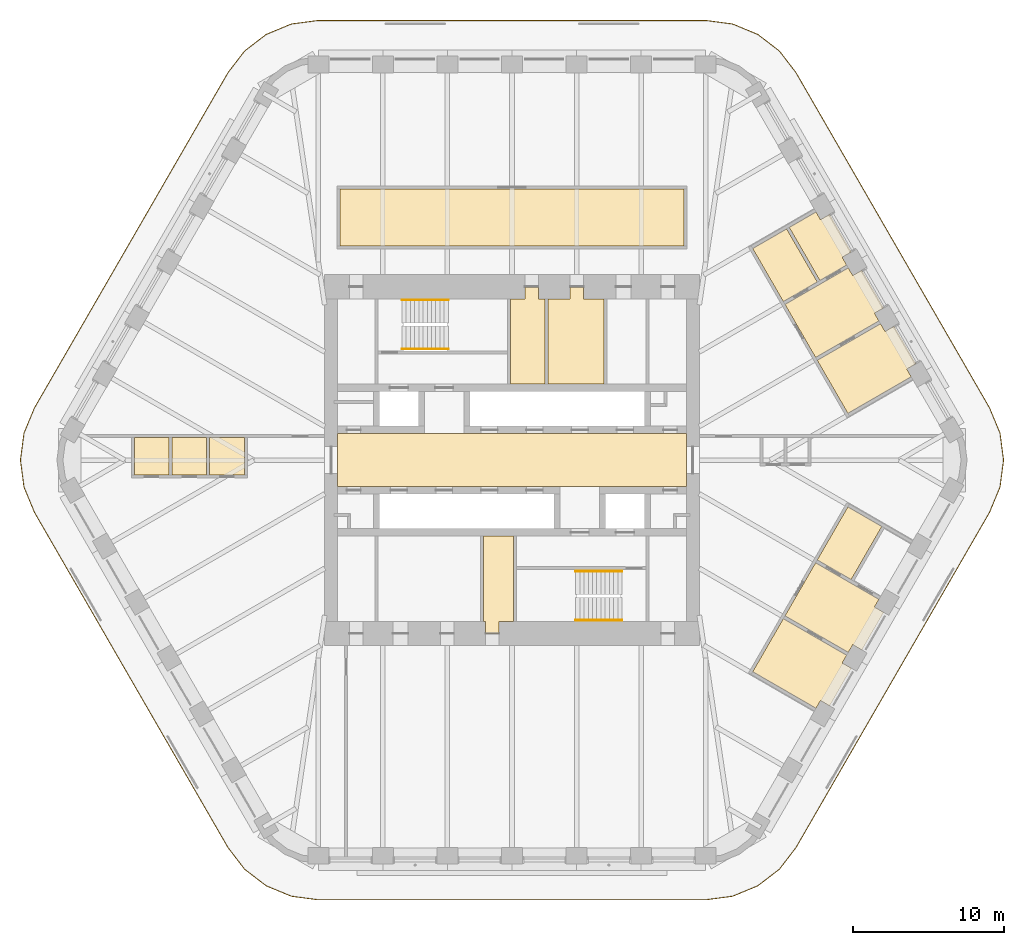
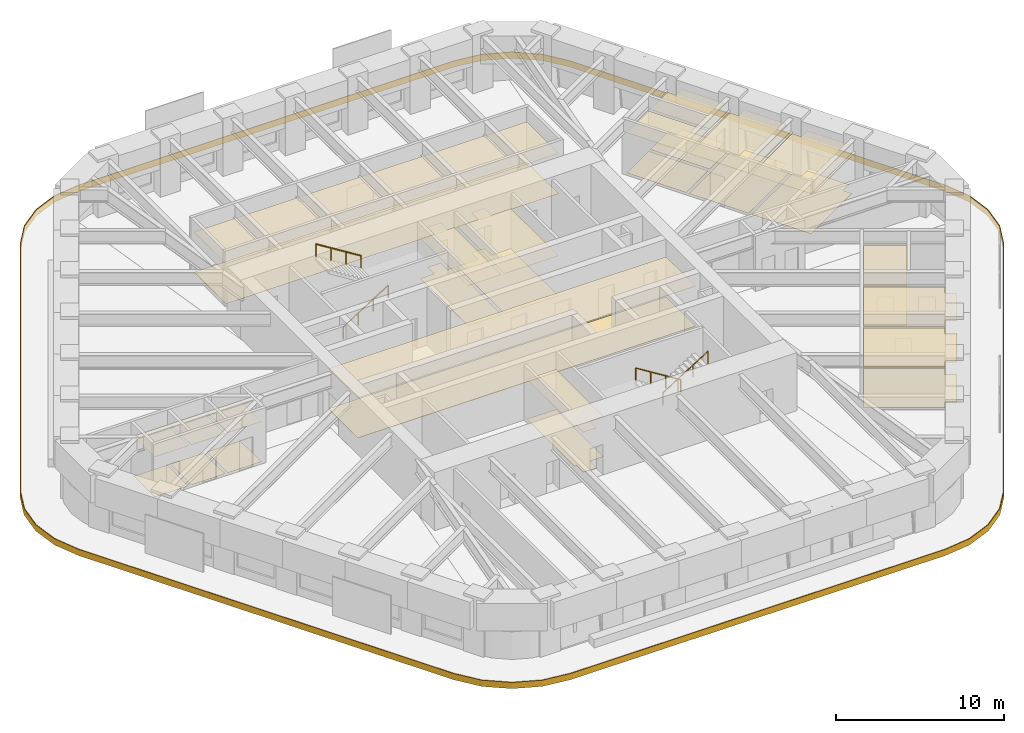
# One storey, part 17 of 18: 11 coverings, 4 railings.
"""IFC4 building model written with IfcOpenShell, lengths in metres."""

from ifc_helpers import new_model, si_unit, direction, frame, origin, origin_2d, place, context, subcontext, project, spatial, polyline, circle, outline, extrude, material, layer, layer_set, type_object, element, save


model = new_model("IFC4")

# Units and contexts
model_context = context("Model", 3, precision=1e-05, world=origin(), true_north=direction((0.0, 1.0)))
body_context = subcontext(model_context, "Body", "Model", "MODEL_VIEW")
ifc_project = project(units=[si_unit("LENGTHUNIT", "METRE"), si_unit("AREAUNIT", "SQUARE_METRE"), si_unit("VOLUMEUNIT", "CUBIC_METRE"), si_unit("PLANEANGLEUNIT", "RADIAN"), si_unit("MASSUNIT", "GRAM", prefix="KILO")], contexts=[model_context])

# Site, building, storey
site_placement = place(None, origin())
site = spatial("IfcSite", under=ifc_project, at=site_placement, CompositionType="ELEMENT")
building_placement = place(site_placement, origin())
building = spatial("IfcBuilding", under=site, at=building_placement, Name="Tarfa Lantern Tower", CompositionType="ELEMENT")
storey_placement = place(building_placement, frame((0.0, 0.0, 324.10009765625)))
storey = spatial("IfcBuildingStorey", under=building, at=storey_placement, Name="L73", CompositionType="ELEMENT", Elevation=324.10009765625)

# Coverings
ifc_material_1 = material(Name="Mineral fibre acoustic tile on suspension grid", Category="finish")
ifc_layer_1 = layer(ifc_material_1, 0.02001953125)
ifc_layer_set_1 = layer_set([ifc_layer_1], Name="CL1 ACOUSTIC TILE CEILING 20")
covering_type_1 = type_object("IfcCoveringType", Name="CL1 ACOUSTIC TILE CEILING 20", PredefinedType="CEILING", material=ifc_layer_set_1)
covering_1_placement = place(storey_placement, frame((0.0, 0.0, 2.89990234375)))
element("IfcCovering", 1, at=covering_1_placement, inside=storey, type_object=covering_type_1, Name="Ceiling L73 CL1", PredefinedType="CEILING", context=body_context, shape_type="SweptSolid", body=[
    extrude(outline(polyline([(18.106689453125, 10.33837890625), (22.306884765625, 12.763427734375), (22.60693359375, 12.243896484375), (23.213134765625, 12.59375), (24.654052734375, 10.097900390625), (24.0478515625, 9.747802734375), (24.347900390625, 9.228271484375), (20.147705078125, 6.80322265625), (18.106689453125, 10.33837890625)])), origin(), (0.0, 0.0, 1.0), 0.02001953125),
    extrude(outline(polyline([(18.390380859375, 15.44677734375), (20.165771484375, 16.4716796875), (20.4658203125, 15.9521484375), (21.072021484375, 16.302001953125), (22.51318359375, 13.80615234375), (21.90673828125, 13.456298828125), (22.206787109375, 12.9365234375), (20.431396484375, 11.91162109375), (18.390380859375, 15.44677734375)])), origin(), (0.0, 0.0, 1.0), 0.02001953125),
    extrude(outline(polyline([(20.147705078125, -6.80322265625), (24.347900390625, -9.228271484375), (24.0478515625, -9.747802734375), (24.654052734375, -10.097900390625), (23.213134765625, -12.59375), (22.60693359375, -12.243896484375), (22.306884765625, -12.763427734375), (18.106689453125, -10.33837890625), (20.147705078125, -6.80322265625)])), origin(), (0.0, 0.0, 1.0), 0.02001953125),
    extrude(outline(polyline([(-20.054931640625, -1.0), (-20.054931640625, 1.5), (-17.7548828125, 1.5), (-17.7548828125, -1.0), (-20.054931640625, -1.0)])), origin(), (0.0, 0.0, 1.0), 0.02001953125),
    extrude(outline(polyline([(-22.554931640625, -1.0), (-22.554931640625, 1.5), (-20.2548828125, 1.5), (-20.2548828125, -1.0), (-22.554931640625, -1.0)])), origin(), (0.0, 0.0, 1.0), 0.02001953125),
    extrude(outline(polyline([(-25.054931640625, -1.0), (-25.054931640625, 1.5), (-22.7548828125, 1.5), (-22.7548828125, -1.0), (-25.054931640625, -1.0)])), origin(), (0.0, 0.0, 1.0), 0.02001953125),
    extrude(outline(polyline([(-11.39990234375, 18.0), (11.39990234375, 18.0), (11.39990234375, 14.199951171875), (-11.39990234375, 14.199951171875), (-11.39990234375, 18.0)])), origin(), (0.0, 0.0, 1.0), 0.02001953125),
    extrude(outline(polyline([(20.24755859375, 6.630126953125), (24.44775390625, 9.05517578125), (24.747802734375, 8.535400390625), (25.35400390625, 8.885498046875), (26.795166015625, 6.3896484375), (26.18896484375, 6.03955078125), (26.48876953125, 5.52001953125), (22.28857421875, 3.094970703125), (20.24755859375, 6.630126953125)])), origin(), (0.0, 0.0, 1.0), 0.02001953125),
    extrude(outline(polyline([(15.965576171875, 14.046630859375), (18.21728515625, 15.3466796875), (20.25830078125, 11.8115234375), (18.006591796875, 10.51171875), (15.965576171875, 14.046630859375)])), origin(), (0.0, 0.0, 1.0), 0.02001953125),
    extrude(outline(polyline([(18.006591796875, -10.51171875), (22.206787109375, -12.9365234375), (21.90673828125, -13.456298828125), (22.51318359375, -13.80615234375), (21.072021484375, -16.302001953125), (20.4658203125, -15.9521484375), (20.165771484375, -16.4716796875), (15.965576171875, -14.046630859375), (18.006591796875, -10.51171875)])), origin(), (0.0, 0.0, 1.0), 0.02001953125),
    extrude(outline(polyline([(22.28857421875, -3.094970703125), (24.540283203125, -4.39501953125), (22.499267578125, -7.93017578125), (20.24755859375, -6.630126953125), (22.28857421875, -3.094970703125)])), origin(), (0.0, 0.0, 1.0), 0.02001953125),
])
ifc_material_2 = material(Name="Moisture-resistant plasterboard", Category="finish")
ifc_layer_2 = layer(ifc_material_2, 0.014892578125)
ifc_layer_set_2 = layer_set([ifc_layer_2], Name="CL2 MOISTURE-RESISTANT PLASTERBOARD CEILING 15")
covering_type_2 = type_object("IfcCoveringType", Name="CL2 MOISTURE-RESISTANT PLASTERBOARD CEILING 15", PredefinedType="CEILING", material=ifc_layer_set_2)
covering_2_placement = place(storey_placement, frame((0.0, 0.0, 2.89990234375)))
element("IfcCovering", 2, at=covering_2_placement, inside=storey, type_object=covering_type_2, Name="Ceiling L73-05", PredefinedType="CEILING", context=body_context, shape_type="SweptSolid", body=[
    extrude(outline(polyline([(0.85009765625, 10.699951171875), (-0.10009765625, 10.699951171875), (-0.10009765625, 5.050048828125), (2.199951171875, 5.050048828125), (2.199951171875, 10.699951171875), (1.75, 10.699951171875), (1.75, 11.5), (0.85009765625, 11.5), (0.85009765625, 10.699951171875)])), origin(), (0.0, 0.0, 1.0), 0.014892578125),
])
covering_3_placement = place(storey_placement, frame((0.0, 0.0, 2.89990234375)))
element("IfcCovering", 3, at=covering_3_placement, inside=storey, type_object=covering_type_2, Name="Ceiling L73-06", PredefinedType="CEILING", context=body_context, shape_type="SweptSolid", body=[
    extrude(outline(polyline([(2.39990234375, 5.050048828125), (6.10009765625, 5.050048828125), (6.10009765625, 10.699951171875), (4.75, 10.699951171875), (4.75, 11.5), (3.85009765625, 11.5), (3.85009765625, 10.699951171875), (2.39990234375, 10.699951171875), (2.39990234375, 5.050048828125)])), origin(), (0.0, 0.0, 1.0), 0.014892578125),
])
covering_4_placement = place(storey_placement, frame((0.0, 0.0, 2.89990234375)))
element("IfcCovering", 4, at=covering_4_placement, inside=storey, type_object=covering_type_2, Name="Ceiling L73-13", PredefinedType="CEILING", context=body_context, shape_type="SweptSolid", body=[
    extrude(outline(polyline([(-0.85009765625, -10.699951171875), (0.10009765625, -10.699951171875), (0.10009765625, -5.050048828125), (-1.89990234375, -5.050048828125), (-1.89990234375, -10.699951171875), (-1.75, -10.699951171875), (-1.75, -11.5), (-1.75, -11.5), (-0.85009765625, -11.5), (-0.85009765625, -10.699951171875)])), origin(), (0.0, 0.0, 1.0), 0.014892578125),
])
ifc_material_3 = material(Name="Powder-coated aluminium panel", Category="aluminium")
ifc_layer_3 = layer(ifc_material_3, 0.030029296875)
ifc_layer_set_3 = layer_set([ifc_layer_3], Name="CL3 METAL PANEL CEILING 30")
covering_type_3 = type_object("IfcCoveringType", Name="CL3 METAL PANEL CEILING 30", PredefinedType="CEILING", material=ifc_layer_set_3)
covering_5_placement = place(storey_placement, frame((0.0, 0.0, 2.89990234375)))
element("IfcCovering", 5, at=covering_5_placement, inside=storey, type_object=covering_type_3, Name="Ceiling L73-01", PredefinedType="CEILING", context=body_context, shape_type="SweptSolid", body=[
    extrude(outline(polyline([(-11.574951171875, -1.75), (11.574951171875, -1.75), (11.574951171875, 1.75), (-11.574951171875, 1.75), (-11.574951171875, -1.75)])), origin(), (0.0, 0.0, 1.0), 0.030029296875),
])
ifc_material_4 = material(Name="Nylon carpet tile", Category="finish")
ifc_layer_4 = layer(ifc_material_4, 0.010009765625)
ifc_layer_set_4 = layer_set([ifc_layer_4], Name="FL1 CARPET TILE 10")
covering_type_4 = type_object("IfcCoveringType", Name="FL1 CARPET TILE 10", PredefinedType="FLOORING", material=ifc_layer_set_4)
covering_6_placement = place(storey_placement, origin())
element("IfcCovering", 6, at=covering_6_placement, inside=storey, type_object=covering_type_4, Name="Floor finish L73 FL1", PredefinedType="FLOORING", context=body_context, shape_type="SweptSolid", body=[
    extrude(outline(polyline([(18.106689453125, 10.33837890625), (22.306884765625, 12.763427734375), (22.60693359375, 12.243896484375), (23.213134765625, 12.59375), (24.654052734375, 10.097900390625), (24.0478515625, 9.747802734375), (24.347900390625, 9.228271484375), (20.147705078125, 6.80322265625), (18.106689453125, 10.33837890625)])), origin(), (0.0, 0.0, 1.0), 0.010009765625),
    extrude(outline(polyline([(18.390380859375, 15.44677734375), (20.165771484375, 16.4716796875), (20.4658203125, 15.9521484375), (21.072021484375, 16.302001953125), (22.51318359375, 13.80615234375), (21.90673828125, 13.456298828125), (22.206787109375, 12.9365234375), (20.431396484375, 11.91162109375), (18.390380859375, 15.44677734375)])), origin(), (0.0, 0.0, 1.0), 0.010009765625),
    extrude(outline(polyline([(20.147705078125, -6.80322265625), (24.347900390625, -9.228271484375), (24.0478515625, -9.747802734375), (24.654052734375, -10.097900390625), (23.213134765625, -12.59375), (22.60693359375, -12.243896484375), (22.306884765625, -12.763427734375), (18.106689453125, -10.33837890625), (20.147705078125, -6.80322265625)])), origin(), (0.0, 0.0, 1.0), 0.010009765625),
    extrude(outline(polyline([(-20.054931640625, -1.0), (-20.054931640625, 1.5), (-17.7548828125, 1.5), (-17.7548828125, -1.0), (-20.054931640625, -1.0)])), origin(), (0.0, 0.0, 1.0), 0.010009765625),
    extrude(outline(polyline([(-22.554931640625, -1.0), (-22.554931640625, 1.5), (-20.2548828125, 1.5), (-20.2548828125, -1.0), (-22.554931640625, -1.0)])), origin(), (0.0, 0.0, 1.0), 0.010009765625),
    extrude(outline(polyline([(-25.054931640625, -1.0), (-25.054931640625, 1.5), (-22.7548828125, 1.5), (-22.7548828125, -1.0), (-25.054931640625, -1.0)])), origin(), (0.0, 0.0, 1.0), 0.010009765625),
    extrude(outline(polyline([(-11.39990234375, 18.0), (11.39990234375, 18.0), (11.39990234375, 14.199951171875), (-11.39990234375, 14.199951171875), (-11.39990234375, 18.0)])), origin(), (0.0, 0.0, 1.0), 0.010009765625),
    extrude(outline(polyline([(20.24755859375, 6.630126953125), (24.44775390625, 9.05517578125), (24.747802734375, 8.535400390625), (25.35400390625, 8.885498046875), (26.795166015625, 6.3896484375), (26.18896484375, 6.03955078125), (26.48876953125, 5.52001953125), (22.28857421875, 3.094970703125), (20.24755859375, 6.630126953125)])), origin(), (0.0, 0.0, 1.0), 0.010009765625),
    extrude(outline(polyline([(15.965576171875, 14.046630859375), (18.21728515625, 15.3466796875), (20.25830078125, 11.8115234375), (18.006591796875, 10.51171875), (15.965576171875, 14.046630859375)])), origin(), (0.0, 0.0, 1.0), 0.010009765625),
    extrude(outline(polyline([(18.006591796875, -10.51171875), (22.206787109375, -12.9365234375), (21.90673828125, -13.456298828125), (22.51318359375, -13.80615234375), (21.072021484375, -16.302001953125), (20.4658203125, -15.9521484375), (20.165771484375, -16.4716796875), (15.965576171875, -14.046630859375), (18.006591796875, -10.51171875)])), origin(), (0.0, 0.0, 1.0), 0.010009765625),
    extrude(outline(polyline([(22.28857421875, -3.094970703125), (24.540283203125, -4.39501953125), (22.499267578125, -7.93017578125), (20.24755859375, -6.630126953125), (22.28857421875, -3.094970703125)])), origin(), (0.0, 0.0, 1.0), 0.010009765625),
])
ifc_material_5 = material(Name="Honed limestone flooring", Category="masonry")
ifc_layer_5 = layer(ifc_material_5, 0.030029296875)
ifc_layer_set_5 = layer_set([ifc_layer_5], Name="FL2 STONE FLOORING 30")
covering_type_5 = type_object("IfcCoveringType", Name="FL2 STONE FLOORING 30", PredefinedType="FLOORING", material=ifc_layer_set_5)
covering_7_placement = place(storey_placement, origin())
element("IfcCovering", 7, at=covering_7_placement, inside=storey, type_object=covering_type_5, Name="Floor finish L73-01", PredefinedType="FLOORING", context=body_context, shape_type="SweptSolid", body=[
    extrude(outline(polyline([(-11.574951171875, -1.75), (11.574951171875, -1.75), (11.574951171875, 1.75), (-11.574951171875, 1.75), (-11.574951171875, -1.75)])), origin(), (0.0, 0.0, 1.0), 0.02978515625),
])
ifc_material_6 = material(Name="Porcelain floor tile", Category="finish")
ifc_layer_6 = layer(ifc_material_6, 0.011962890625)
ifc_layer_set_6 = layer_set([ifc_layer_6], Name="FL3 CERAMIC TILE 12")
covering_type_6 = type_object("IfcCoveringType", Name="FL3 CERAMIC TILE 12", PredefinedType="FLOORING", material=ifc_layer_set_6)
covering_8_placement = place(storey_placement, origin())
element("IfcCovering", 8, at=covering_8_placement, inside=storey, type_object=covering_type_6, Name="Floor finish L73-05", PredefinedType="FLOORING", context=body_context, shape_type="SweptSolid", body=[
    extrude(outline(polyline([(0.85009765625, 10.699951171875), (-0.10009765625, 10.699951171875), (-0.10009765625, 5.050048828125), (2.199951171875, 5.050048828125), (2.199951171875, 10.699951171875), (1.75, 10.699951171875), (1.75, 11.5), (0.85009765625, 11.5), (0.85009765625, 10.699951171875)])), origin(), (0.0, 0.0, 1.0), 0.011962890625),
])
covering_9_placement = place(storey_placement, origin())
element("IfcCovering", 9, at=covering_9_placement, inside=storey, type_object=covering_type_6, Name="Floor finish L73-06", PredefinedType="FLOORING", context=body_context, shape_type="SweptSolid", body=[
    extrude(outline(polyline([(2.39990234375, 5.050048828125), (6.10009765625, 5.050048828125), (6.10009765625, 10.699951171875), (4.75, 10.699951171875), (4.75, 11.5), (3.85009765625, 11.5), (3.85009765625, 10.699951171875), (2.39990234375, 10.699951171875), (2.39990234375, 5.050048828125)])), origin(), (0.0, 0.0, 1.0), 0.011962890625),
])
covering_10_placement = place(storey_placement, origin())
element("IfcCovering", 10, at=covering_10_placement, inside=storey, type_object=covering_type_6, Name="Floor finish L73-13", PredefinedType="FLOORING", context=body_context, shape_type="SweptSolid", body=[
    extrude(outline(polyline([(-0.85009765625, -10.699951171875), (0.10009765625, -10.699951171875), (0.10009765625, -5.050048828125), (-1.89990234375, -5.050048828125), (-1.89990234375, -10.699951171875), (-1.75, -10.699951171875), (-1.75, -11.5), (-1.75, -11.5), (-0.85009765625, -11.5), (-0.85009765625, -10.699951171875)])), origin(), (0.0, 0.0, 1.0), 0.011962890625),
])

# Railings
ifc_material_7 = material(Name="Stainless steel", Category="steel")
railing_type = type_object("IfcRailingType", Name="HR1 HANDRAIL 900", PredefinedType="HANDRAIL", material=ifc_material_7)
railing_1_placement = place(storey_placement, frame((-7.300048828125, 7.3798828125, 0.1748046875)))
element("IfcRailing", 11, at=railing_1_placement, inside=storey, type_object=railing_type, Name="Handrail 1", PredefinedType="HANDRAIL", context=body_context, shape_type="SweptSolid", body=[
    extrude(circle(Radius=0.02392578125, at=origin_2d()), frame((0.0, 0.0, 0.8759765625), z_axis=(0.847998304005, 0.0, 0.529998940003), x_axis=(0.0, 1.0, 0.0)), (0.0, 0.0, 1.0), 3.632080078125),
    extrude(circle(Radius=0.02099609375, at=origin_2d()), frame((0.0, 0.0, 0.0), z_axis=(0.0, 0.0, 1.0), x_axis=(0.0, 1.0, 0.0)), (0.0, 0.0, 1.0), 0.851806640625),
    extrude(circle(Radius=0.02099609375, at=origin_2d()), frame((1.026611328125, 0.0, 0.6416015625), z_axis=(0.0, 0.0, 1.0), x_axis=(0.0, 1.0, 0.0)), (0.0, 0.0, 1.0), 0.851806640625),
    extrude(circle(Radius=0.02099609375, at=origin_2d()), frame((2.053466796875, 0.0, 1.283447265625), z_axis=(0.0, 0.0, 1.0), x_axis=(0.0, 1.0, 0.0)), (0.0, 0.0, 1.0), 0.851806640625),
    extrude(circle(Radius=0.02099609375, at=origin_2d()), frame((3.080078125, 0.0, 1.925048828125), z_axis=(0.0, 0.0, 1.0), x_axis=(0.0, 1.0, 0.0)), (0.0, 0.0, 1.0), 0.851806640625),
])
for number, where, name in (
    (12, (-4.219970703125, 10.6201171875, 2.27490234375), "Handrail 2"),
    (13, (7.300048828125, -7.3798828125, 0.1748046875), "Handrail 1"),
):
    element("IfcRailing", number, at=place(storey_placement, frame(where)), inside=storey, type_object=railing_type, Name=name, PredefinedType="HANDRAIL", context=body_context, shape_type="SweptSolid", body=[
        extrude(circle(Radius=0.02392578125, at=origin_2d()), frame((0.0, 0.0, 0.8759765625), z_axis=(-0.847998304005, 0.0, 0.529998940003), x_axis=(0.0, -1.0, 0.0)), (0.0, 0.0, 1.0), 3.632080078125),
        extrude(circle(Radius=0.02099609375, at=origin_2d()), frame((0.0, 0.0, 0.0), z_axis=(0.0, 0.0, 1.0), x_axis=(0.0, -1.0, 0.0)), (0.0, 0.0, 1.0), 0.851806640625),
        extrude(circle(Radius=0.02099609375, at=origin_2d()), frame((-1.026611328125, 0.0, 0.6416015625), z_axis=(0.0, 0.0, 1.0), x_axis=(0.0, -1.0, 0.0)), (0.0, 0.0, 1.0), 0.851806640625),
        extrude(circle(Radius=0.02099609375, at=origin_2d()), frame((-2.053466796875, 0.0, 1.283447265625), z_axis=(0.0, 0.0, 1.0), x_axis=(0.0, -1.0, 0.0)), (0.0, 0.0, 1.0), 0.851806640625),
        extrude(circle(Radius=0.02099609375, at=origin_2d()), frame((-3.080078125, 0.0, 1.925048828125), z_axis=(0.0, 0.0, 1.0), x_axis=(0.0, -1.0, 0.0)), (0.0, 0.0, 1.0), 0.851806640625),
    ])
railing_2_placement = place(storey_placement, frame((4.219970703125, -10.6201171875, 2.27490234375)))
element("IfcRailing", 14, at=railing_2_placement, inside=storey, type_object=railing_type, Name="Handrail 2", PredefinedType="HANDRAIL", context=body_context, shape_type="SweptSolid", body=[
    extrude(circle(Radius=0.02392578125, at=origin_2d()), frame((0.0, 0.0, 0.8759765625), z_axis=(0.847998304005, 0.0, 0.529998940003), x_axis=(0.0, 1.0, 0.0)), (0.0, 0.0, 1.0), 3.632080078125),
    extrude(circle(Radius=0.02099609375, at=origin_2d()), frame((0.0, 0.0, 0.0), z_axis=(0.0, 0.0, 1.0), x_axis=(0.0, 1.0, 0.0)), (0.0, 0.0, 1.0), 0.851806640625),
    extrude(circle(Radius=0.02099609375, at=origin_2d()), frame((1.026611328125, 0.0, 0.6416015625), z_axis=(0.0, 0.0, 1.0), x_axis=(0.0, 1.0, 0.0)), (0.0, 0.0, 1.0), 0.851806640625),
    extrude(circle(Radius=0.02099609375, at=origin_2d()), frame((2.053466796875, 0.0, 1.283447265625), z_axis=(0.0, 0.0, 1.0), x_axis=(0.0, 1.0, 0.0)), (0.0, 0.0, 1.0), 0.851806640625),
    extrude(circle(Radius=0.02099609375, at=origin_2d()), frame((3.080078125, 0.0, 1.925048828125), z_axis=(0.0, 0.0, 1.0), x_axis=(0.0, 1.0, 0.0)), (0.0, 0.0, 1.0), 0.851806640625),
])

# Covering
ifc_material_8 = material(Name="Limestone cladding on brackets", Category="masonry")
ifc_layer_7 = layer(ifc_material_8, 0.050048828125)
ifc_layer_set_7 = layer_set([ifc_layer_7], Name="SB1 STONE BAND CLADDING 50")
covering_type_7 = type_object("IfcCoveringType", Name="SB1 STONE BAND CLADDING 50", PredefinedType="CLADDING", material=ifc_layer_set_7)
covering_11_placement = place(storey_placement, frame((0.0, 0.0, -0.400146484375)))
element("IfcCovering", 15, at=covering_11_placement, inside=storey, type_object=covering_type_7, Name="Stone band", PredefinedType="CLADDING", context=body_context, shape_type="SweptSolid", body=[
    extrude(outline(polyline([(31.7109375, 3.47509765625), (18.864990234375, 25.72509765625), (17.760498046875, 27.164306640625), (16.321044921875, 28.268798828125), (14.644775390625, 28.963134765625), (12.845947265625, 29.199951171875), (-12.845947265625, 29.199951171875), (-14.644775390625, 28.963134765625), (-16.321044921875, 28.268798828125), (-17.760498046875, 27.164306640625), (-18.864990234375, 25.72509765625), (-31.7109375, 3.47509765625), (-32.4052734375, 1.798828125), (-32.64208984375, 0.0), (-32.4052734375, -1.798828125), (-31.7109375, -3.47509765625), (-18.864990234375, -25.72509765625), (-17.760498046875, -27.164306640625), (-16.321044921875, -28.268798828125), (-14.644775390625, -28.963134765625), (-12.845947265625, -29.199951171875), (12.845947265625, -29.199951171875), (14.644775390625, -28.963134765625), (16.321044921875, -28.268798828125), (17.760498046875, -27.164306640625), (18.864990234375, -25.72509765625), (31.7109375, -3.47509765625), (32.4052734375, -1.798828125), (32.64208984375, 0.0), (32.4052734375, 1.798828125), (31.7109375, 3.47509765625)]), holes=[polyline([(31.667724609375, 3.449951171875), (18.821533203125, 25.699951171875), (17.72509765625, 27.129150390625), (16.296142578125, 28.2255859375), (14.6318359375, 28.914794921875), (12.845947265625, 29.14990234375), (-12.845947265625, 29.14990234375), (-14.6318359375, 28.914794921875), (-16.296142578125, 28.2255859375), (-17.72509765625, 27.129150390625), (-18.821533203125, 25.699951171875), (-31.667724609375, 3.449951171875), (-32.35693359375, 1.785888671875), (-32.592041015625, 0.0), (-32.35693359375, -1.785888671875), (-31.667724609375, -3.449951171875), (-18.821533203125, -25.699951171875), (-17.72509765625, -27.129150390625), (-16.296142578125, -28.2255859375), (-14.6318359375, -28.914794921875), (-12.845947265625, -29.14990234375), (12.845947265625, -29.14990234375), (14.6318359375, -28.914794921875), (16.296142578125, -28.2255859375), (17.72509765625, -27.129150390625), (18.821533203125, -25.699951171875), (31.667724609375, -3.449951171875), (32.35693359375, -1.785888671875), (32.592041015625, 0.0), (32.35693359375, 1.785888671875), (31.667724609375, 3.449951171875)])]), origin(), (0.0, 0.0, 1.0), 0.449951171875),
])

save(model, "model.ifc")
